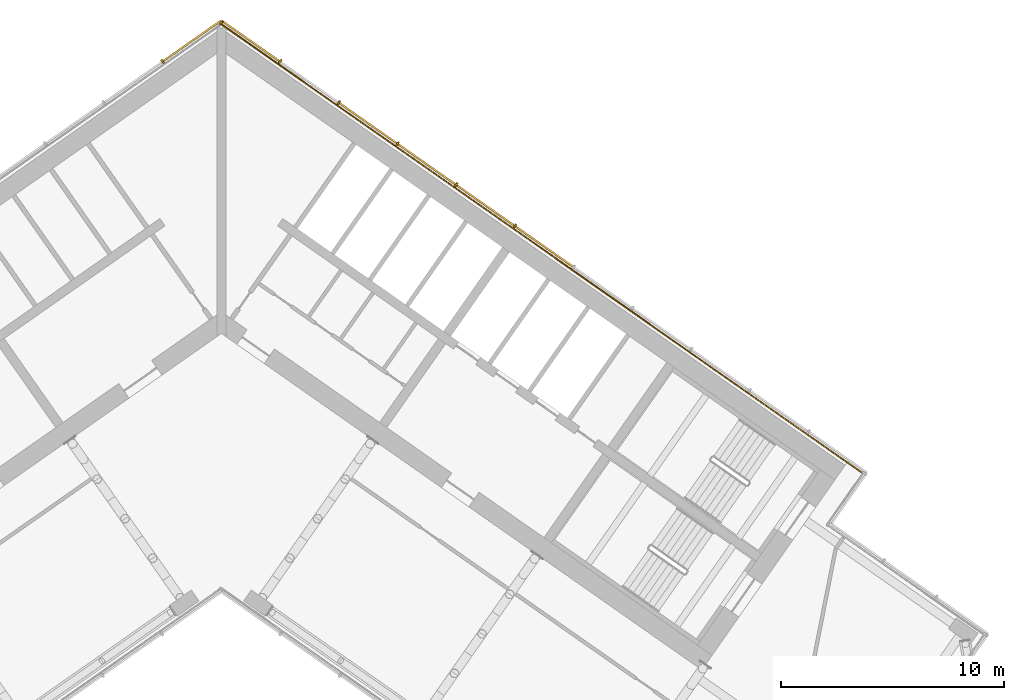
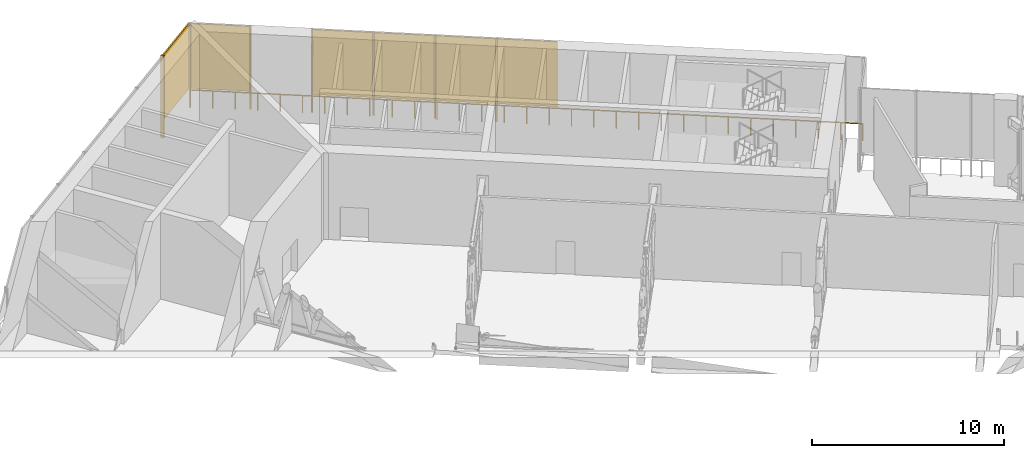
# One storey, part 18 of 19: 13 shading devices, 1 railing.
"""IFC4 building model written with IfcOpenShell, lengths in metres."""

from ifc_helpers import new_model, si_unit, direction, frame, origin, origin_2d, place, context, subcontext, project, spatial, rectangle, circle, extrude, material, layer, layer_set, type_object, element, save


model = new_model("IFC4")

# Units and contexts
model_context = context("Model", 3, precision=1e-05, world=origin(), true_north=direction((0.0, 1.0)))
body_context = subcontext(model_context, "Body", "Model", "MODEL_VIEW")
ifc_project = project(units=[si_unit("LENGTHUNIT", "METRE"), si_unit("AREAUNIT", "SQUARE_METRE"), si_unit("VOLUMEUNIT", "CUBIC_METRE"), si_unit("PLANEANGLEUNIT", "RADIAN"), si_unit("MASSUNIT", "GRAM", prefix="KILO")], contexts=[model_context])

# Site, building, storey
site_placement = place(None, origin())
site = spatial("IfcSite", under=ifc_project, at=site_placement, CompositionType="ELEMENT")
building_placement = place(site_placement, origin())
building = spatial("IfcBuilding", under=site, at=building_placement, Name="Tel Ilan Convention Tower", CompositionType="ELEMENT")
storey_placement = place(building_placement, frame((0.0, 0.0, 213.89990234375)))
storey = spatial("IfcBuildingStorey", under=building, at=storey_placement, Name="L50", CompositionType="ELEMENT", Elevation=213.89990234375)

# Shading devices
ifc_material_1 = material(Name="Perforated aluminium sheet, bronze anodised", Category="aluminium")
ifc_layer_1 = layer(ifc_material_1, 0.080078125)
ifc_layer_set_1 = layer_set([ifc_layer_1], Name="PERFORATED SCREEN 80")
shading_device_type_1 = type_object("IfcShadingDeviceType", Name="PERFORATED SCREEN 80", PredefinedType="USERDEFINED", material=ifc_layer_set_1)
for number, where, z_axis, x_axis, name in (
    (1, (14.4794921875, 2.679443359375, 1.10009765625), (0.0, 0.0, 1.0), (-0.819152044289, 0.573576436351, 0.0), "SCREEN"),
    (2, (11.8466796875, 4.52294921875, 1.10009765625), (0.0, 0.0, 1.0), (-0.819152044289, 0.573576436351, 0.0), "SCREEN"),
    (3, (9.214111328125, 6.3662109375, 1.10009765625), (0.0, 0.0, 1.0), (-0.819152044289, 0.573576436351, 0.0), "SCREEN"),
    (4, (6.58154296875, 8.209716796875, 1.10009765625), (0.0, 0.0, 1.0), (-0.819152044289, 0.573576436351, 0.0), "SCREEN"),
    (5, (1.31640625, 11.896484375, 1.10009765625), (0.0, 0.0, 1.0), (-0.819152044289, 0.573576436351, 0.0), "SCREEN"),
    (6, (-1.31640625, 11.896484375, 1.10009765625), (0.0, 0.0, 1.0), (-0.819152044289, -0.573576436351, 0.0), "SCREEN"),
):
    element("IfcShadingDevice", number, at=place(storey_placement, frame(where, z_axis=z_axis, x_axis=x_axis)), inside=storey, type_object=shading_device_type_1, Name=name, ObjectType="SCREEN", PredefinedType="USERDEFINED", context=body_context, shape_type="SweptSolid", body=[
        extrude(rectangle(XDim=3.15380859375, YDim=0.080078125, at=origin_2d()), origin(), (0.0, 0.0, 1.0), 4.1201171875),
    ])

# Railing
ifc_material_2 = material(Name="Stainless steel S316", Category="steel")
railing_type = type_object("IfcRailingType", Name="REFUGE EDGE GUARD 1100", PredefinedType="GUARDRAIL", material=ifc_material_2)
railing_placement = place(storey_placement, frame((0.0, 12.647216796875, 0.0)))
element("IfcRailing", 7, at=railing_placement, inside=storey, type_object=railing_type, Name="Refuge edge guard 39.R09", PredefinedType="GUARDRAIL", context=body_context, shape_type="SweptSolid", body=[
    extrude(circle(Radius=0.02490234375, at=origin_2d()), frame((0.0, 0.0, 1.0751953125), z_axis=(0.819153192638, -0.573574796335, 0.0), x_axis=(0.573574796335, 0.819153192638, 0.0)), (0.0, 0.0, 1.0), 35.1142578125),
    extrude(circle(Radius=0.02490234375, at=origin_2d()), origin(), (0.0, 0.0, 1.0), 1.050048828125),
    extrude(circle(Radius=0.02490234375, at=origin_2d()), frame((0.958740234375, -0.67138671875, 0.0)), (0.0, 0.0, 1.0), 1.050048828125),
    extrude(circle(Radius=0.02490234375, at=origin_2d()), frame((1.91748046875, -1.3427734375, 0.0)), (0.0, 0.0, 1.0), 1.050048828125),
    extrude(circle(Radius=0.02490234375, at=origin_2d()), frame((2.87646484375, -2.01416015625, 0.0)), (0.0, 0.0, 1.0), 1.050048828125),
    extrude(circle(Radius=0.02490234375, at=origin_2d()), frame((3.835205078125, -2.685302734375, 0.0)), (0.0, 0.0, 1.0), 1.050048828125),
    extrude(circle(Radius=0.02490234375, at=origin_2d()), frame((4.7939453125, -3.356689453125, 0.0)), (0.0, 0.0, 1.0), 1.050048828125),
    extrude(circle(Radius=0.02490234375, at=origin_2d()), frame((5.752685546875, -4.028076171875, 0.0)), (0.0, 0.0, 1.0), 1.050048828125),
    extrude(circle(Radius=0.02490234375, at=origin_2d()), frame((6.711669921875, -4.699462890625, 0.0)), (0.0, 0.0, 1.0), 1.050048828125),
    extrude(circle(Radius=0.02490234375, at=origin_2d()), frame((7.67041015625, -5.370849609375, 0.0)), (0.0, 0.0, 1.0), 1.050048828125),
    extrude(circle(Radius=0.02490234375, at=origin_2d()), frame((8.629150390625, -6.042236328125, 0.0)), (0.0, 0.0, 1.0), 1.050048828125),
    extrude(circle(Radius=0.02490234375, at=origin_2d()), frame((9.587890625, -6.713623046875, 0.0)), (0.0, 0.0, 1.0), 1.050048828125),
    extrude(circle(Radius=0.02490234375, at=origin_2d()), frame((10.546875, -7.385009765625, 0.0)), (0.0, 0.0, 1.0), 1.050048828125),
    extrude(circle(Radius=0.02490234375, at=origin_2d()), frame((11.505615234375, -8.05615234375, 0.0)), (0.0, 0.0, 1.0), 1.050048828125),
    extrude(circle(Radius=0.02490234375, at=origin_2d()), frame((12.46435546875, -8.7275390625, 0.0)), (0.0, 0.0, 1.0), 1.050048828125),
    extrude(circle(Radius=0.02490234375, at=origin_2d()), frame((13.423095703125, -9.39892578125, 0.0)), (0.0, 0.0, 1.0), 1.050048828125),
    extrude(circle(Radius=0.02490234375, at=origin_2d()), frame((14.3818359375, -10.0703125, 0.0)), (0.0, 0.0, 1.0), 1.050048828125),
    extrude(circle(Radius=0.02490234375, at=origin_2d()), frame((15.3408203125, -10.74169921875, 0.0)), (0.0, 0.0, 1.0), 1.050048828125),
    extrude(circle(Radius=0.02490234375, at=origin_2d()), frame((16.299560546875, -11.4130859375, 0.0)), (0.0, 0.0, 1.0), 1.050048828125),
    extrude(circle(Radius=0.02490234375, at=origin_2d()), frame((17.25830078125, -12.08447265625, 0.0)), (0.0, 0.0, 1.0), 1.050048828125),
    extrude(circle(Radius=0.02490234375, at=origin_2d()), frame((18.217041015625, -12.755615234375, 0.0)), (0.0, 0.0, 1.0), 1.050048828125),
    extrude(circle(Radius=0.02490234375, at=origin_2d()), frame((19.176025390625, -13.427001953125, 0.0)), (0.0, 0.0, 1.0), 1.050048828125),
    extrude(circle(Radius=0.02490234375, at=origin_2d()), frame((20.134765625, -14.098388671875, 0.0)), (0.0, 0.0, 1.0), 1.050048828125),
    extrude(circle(Radius=0.02490234375, at=origin_2d()), frame((21.093505859375, -14.769775390625, 0.0)), (0.0, 0.0, 1.0), 1.050048828125),
    extrude(circle(Radius=0.02490234375, at=origin_2d()), frame((22.05224609375, -15.441162109375, 0.0)), (0.0, 0.0, 1.0), 1.050048828125),
    extrude(circle(Radius=0.02490234375, at=origin_2d()), frame((23.01123046875, -16.112548828125, 0.0)), (0.0, 0.0, 1.0), 1.050048828125),
    extrude(circle(Radius=0.02490234375, at=origin_2d()), frame((23.969970703125, -16.783935546875, 0.0)), (0.0, 0.0, 1.0), 1.050048828125),
    extrude(circle(Radius=0.02490234375, at=origin_2d()), frame((24.9287109375, -17.455322265625, 0.0)), (0.0, 0.0, 1.0), 1.050048828125),
    extrude(circle(Radius=0.02490234375, at=origin_2d()), frame((25.887451171875, -18.12646484375, 0.0)), (0.0, 0.0, 1.0), 1.050048828125),
    extrude(circle(Radius=0.02490234375, at=origin_2d()), frame((26.846435546875, -18.7978515625, 0.0)), (0.0, 0.0, 1.0), 1.050048828125),
    extrude(circle(Radius=0.02490234375, at=origin_2d()), frame((27.80517578125, -19.46923828125, 0.0)), (0.0, 0.0, 1.0), 1.050048828125),
    extrude(circle(Radius=0.02490234375, at=origin_2d()), frame((28.763916015625, -20.140625, 0.0)), (0.0, 0.0, 1.0), 1.050048828125),
])

# Shading devices
ifc_material_3 = material(Name="Perforated aluminium sheet, bronze anodised", Category="aluminium")
ifc_layer_2 = layer(ifc_material_3, 0.080078125)
ifc_layer_set_2 = layer_set([ifc_layer_2], Name="SCREEN CORNER CLOSURE 80x200")
shading_device_type_2 = type_object("IfcShadingDeviceType", Name="SCREEN CORNER CLOSURE 80x200", PredefinedType="USERDEFINED", material=ifc_layer_set_2)
shading_device_placement = place(storey_placement, frame((0.0, 12.696044921875, 0.0), z_axis=(0.0, 0.0, 1.0), x_axis=(-0.819152044289, 0.573576436351, 0.0)))
element("IfcShadingDevice", 8, at=shading_device_placement, inside=storey, type_object=shading_device_type_2, Name="SCREEN", ObjectType="SCREEN", PredefinedType="USERDEFINED", context=body_context, shape_type="SweptSolid", body=[
    extrude(rectangle(XDim=0.080078125, YDim=0.199951171875, at=origin_2d()), origin(), (0.0, 0.0, 1.0), 5.219970703125),
])
ifc_material_4 = material(Name="Aluminium, bronze anodised", Category="aluminium")
ifc_layer_3 = layer(ifc_material_4, 0.080078125)
ifc_layer_set_3 = layer_set([ifc_layer_3], Name="SCREEN POST 80x200")
shading_device_type_3 = type_object("IfcShadingDeviceType", Name="SCREEN POST 80x200", PredefinedType="USERDEFINED", material=ifc_layer_set_3)
for number, where, z_axis, x_axis, name in (
    (9, (13.1630859375, 3.601318359375, 0.0), (0.0, 0.0, 1.0), (-0.819152044289, 0.573576436351, 0.0), "Screen post"),
    (10, (10.530517578125, 5.444580078125, 0.0), (0.0, 0.0, 1.0), (-0.819152044289, 0.573576436351, 0.0), "Screen post"),
    (11, (7.89794921875, 7.2880859375, 0.0), (0.0, 0.0, 1.0), (-0.819152044289, 0.573576436351, 0.0), "Screen post"),
    (12, (5.26513671875, 9.13134765625, 0.0), (0.0, 0.0, 1.0), (-0.819152044289, 0.573576436351, 0.0), "Screen post"),
    (13, (2.632568359375, 10.974853515625, 0.0), (0.0, 0.0, 1.0), (-0.819152044289, 0.573576436351, 0.0), "Screen post"),
    (14, (-2.632568359375, 10.974853515625, 0.0), (0.0, 0.0, 1.0), (-0.819152044289, -0.573576436351, 0.0), "Screen post"),
):
    element("IfcShadingDevice", number, at=place(storey_placement, frame(where, z_axis=z_axis, x_axis=x_axis)), inside=storey, type_object=shading_device_type_3, Name=name, ObjectType="SCREEN POST", PredefinedType="USERDEFINED", context=body_context, shape_type="SweptSolid", body=[
        extrude(rectangle(XDim=0.080078125, YDim=0.199951171875, at=origin_2d()), origin(), (0.0, 0.0, 1.0), 5.219970703125),
    ])

save(model, "model.ifc")
